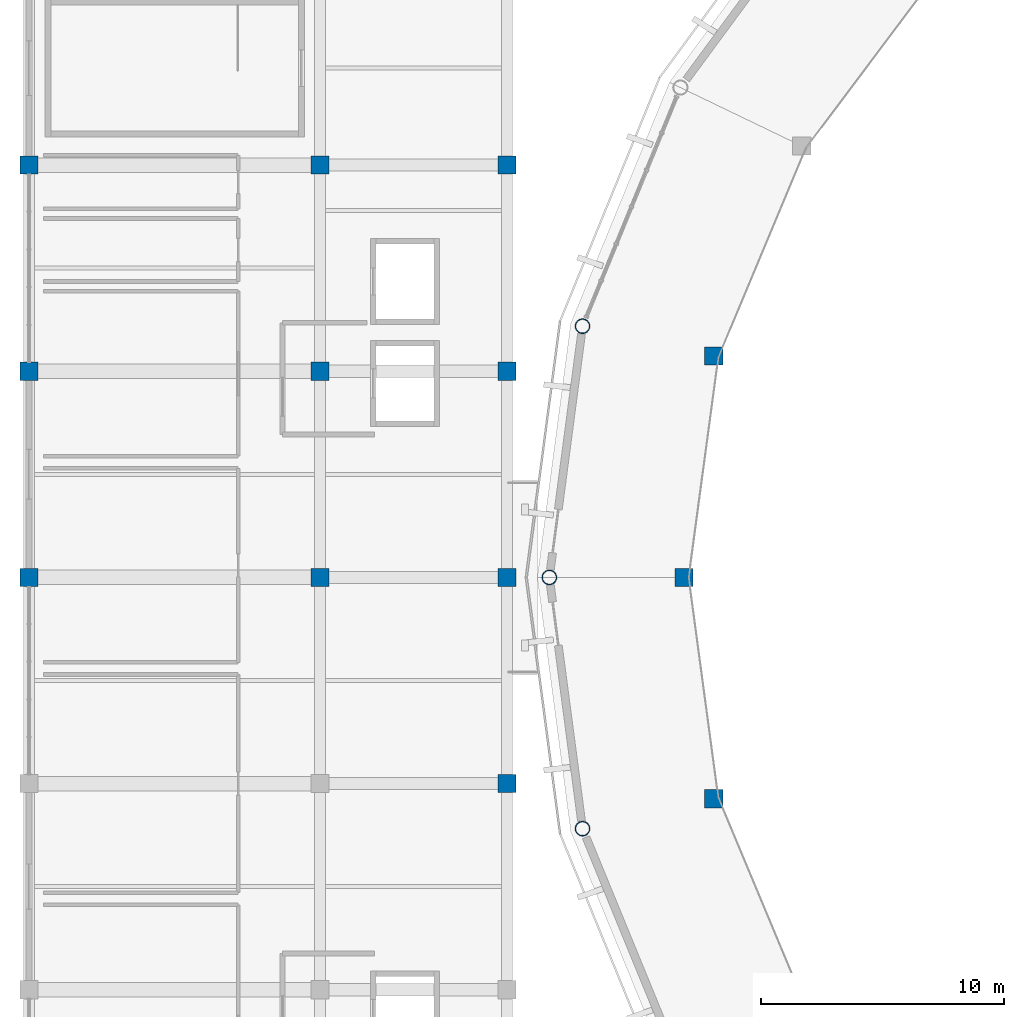
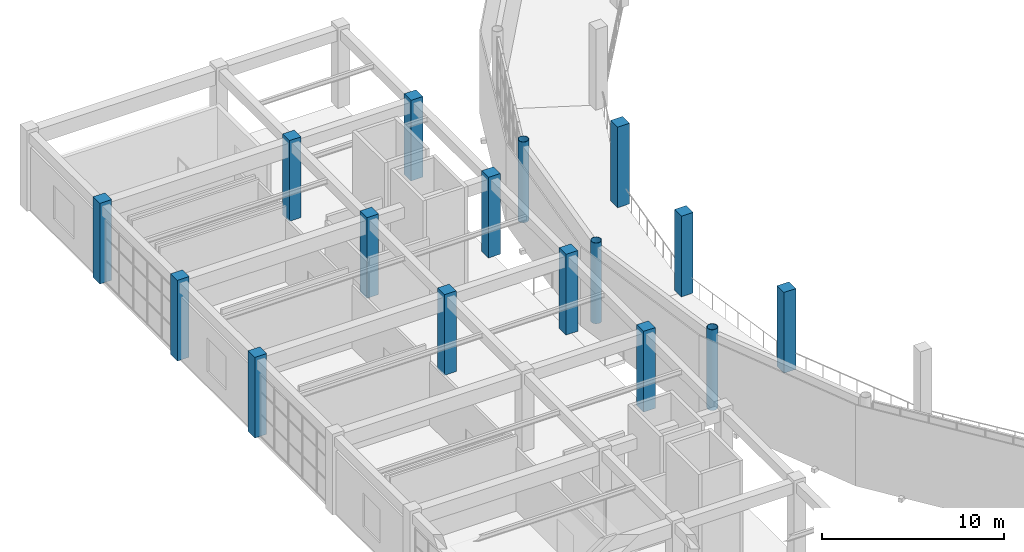
# One storey, part 2 of 40: 16 columns.
"""IFC4 building model written with IfcOpenShell, lengths in metres."""

from ifc_helpers import new_model, si_unit, direction, frame, origin, origin_2d, place, context, subcontext, project, spatial, rectangle, hollow_circle, extrude, material, material_profile, profile_set, type_object, element, save


model = new_model("IFC4")

# Units and contexts
model_context = context("Model", 3, precision=1e-05, world=origin(), true_north=direction((0.0, 1.0)))
body_context = subcontext(model_context, "Body", "Model", "MODEL_VIEW")
ifc_project = project(units=[si_unit("LENGTHUNIT", "METRE"), si_unit("AREAUNIT", "SQUARE_METRE"), si_unit("VOLUMEUNIT", "CUBIC_METRE"), si_unit("PLANEANGLEUNIT", "RADIAN"), si_unit("MASSUNIT", "GRAM", prefix="KILO")], contexts=[model_context])

# Site, building, storey
site_placement = place(None, origin())
site = spatial("IfcSite", under=ifc_project, at=site_placement, CompositionType="ELEMENT")
building_placement = place(site_placement, origin())
building = spatial("IfcBuilding", under=site, at=building_placement, Name="Cuetzalor Civic Arena", CompositionType="ELEMENT")
storey_placement = place(building_placement, frame((0.0, 0.0, 26.39990234375)))
storey = spatial("IfcBuildingStorey", under=building, at=storey_placement, Name="L05", CompositionType="ELEMENT", Elevation=26.39990234375)

# Columns
ifc_material_1 = material(Name="Concrete C40/50", Category="concrete")
ifc_material_profile_1 = material_profile(ifc_material_1, rectangle(XDim=0.75, YDim=0.75, at=origin_2d()), Name="RC 750x750")
ifc_profile_set_1 = profile_set([ifc_material_profile_1], Name="Concrete C40/50")
column_type_1 = type_object("IfcColumnType", Name="ConcreteColumn_750", PredefinedType="COLUMN", material=ifc_profile_set_1)
for number, where, z_axis, x_axis, name in (
    (1, (-47.771484375, 9.123291015625, 0.0), (0.0, 0.0, 1.0), (1.0, 0.0, 0.0), "Column V1-REC-14 L05"),
    (2, (-49.0, 0.0, 0.0), (0.0, 0.0, 1.0), (1.0, 0.0, 0.0), "Column V1-REC-15 L05"),
    (3, (-47.771484375, -9.123291015625, 0.0), (0.0, 0.0, 1.0), (1.0, 0.0, 0.0), "Column V1-REC-16 L05"),
    (4, (-76.0, 0.0, 0.0), (0.0, 0.0, 1.0), (1.0, 0.0, 0.0), "Column V4W-C-02-07 L05"),
    (5, (-76.0, 8.5, 0.0), (0.0, 0.0, 1.0), (1.0, 0.0, 0.0), "Column V4W-C-02-08 L05"),
    (6, (-76.0, 17.0, 0.0), (0.0, 0.0, 1.0), (1.0, 0.0, 0.0), "Column V4W-C-02-09 L05"),
    (7, (-64.0, 0.0, 0.0), (0.0, 0.0, 1.0), (1.0, 0.0, 0.0), "Column V4W-C-03-07 L05"),
    (8, (-64.0, 8.5, 0.0), (0.0, 0.0, 1.0), (1.0, 0.0, 0.0), "Column V4W-C-03-08 L05"),
    (9, (-64.0, 17.0, 0.0), (0.0, 0.0, 1.0), (1.0, 0.0, 0.0), "Column V4W-C-03-09 L05"),
    (10, (-56.300048828125, -8.5, 0.0), (0.0, 0.0, 1.0), (1.0, 0.0, 0.0), "Column V4W-C-04-06 L05"),
    (11, (-56.300048828125, 0.0, 0.0), (0.0, 0.0, 1.0), (1.0, 0.0, 0.0), "Column V4W-C-04-07 L05"),
    (12, (-56.300048828125, 8.5, 0.0), (0.0, 0.0, 1.0), (1.0, 0.0, 0.0), "Column V4W-C-04-08 L05"),
    (13, (-56.300048828125, 17.0, 0.0), (0.0, 0.0, 1.0), (1.0, 0.0, 0.0), "Column V4W-C-04-09 L05"),
):
    element("IfcColumn", number, at=place(storey_placement, frame(where, z_axis=z_axis, x_axis=x_axis)), inside=storey, type_object=column_type_1, Name=name, PredefinedType="COLUMN", context=body_context, shape_type="SweptSolid", body=[
        extrude(rectangle(XDim=0.75, YDim=0.75, at=origin_2d()), origin(), (0.0, 0.0, 1.0), 5.400146484375),
    ])
ifc_material_2 = material(Name="Steel S355", Category="steel")
ifc_material_profile_2 = material_profile(ifc_material_2, hollow_circle(Radius=0.304931640625, WallThickness=0.02490234375, at=origin_2d()), Name="CHS 610x25")
ifc_profile_set_2 = profile_set([ifc_material_profile_2], Name="Steel S355")
column_type_2 = type_object("IfcColumnType", Name="SteelDomePylon_CHS610", PredefinedType="COLUMN", material=ifc_profile_set_2)
for number, where, z_axis, x_axis, name in (
    (14, (-53.182373046875, 10.3583984375, 0.0), (0.0, 0.0, 1.0), (1.0, 0.0, 0.0), "Column V1-PYL-14 L05"),
    (15, (-54.550048828125, 0.0, 0.0), (0.0, 0.0, 1.0), (1.0, 0.0, 0.0), "Column V1-PYL-15 L05"),
    (16, (-53.182373046875, -10.3583984375, 0.0), (0.0, 0.0, 1.0), (1.0, 0.0, 0.0), "Column V1-PYL-16 L05"),
):
    element("IfcColumn", number, at=place(storey_placement, frame(where, z_axis=z_axis, x_axis=x_axis)), inside=storey, type_object=column_type_2, Name=name, PredefinedType="COLUMN", context=body_context, shape_type="SweptSolid", body=[
        extrude(hollow_circle(Radius=0.304931640625, WallThickness=0.02490234375, at=origin_2d()), origin(), (0.0, 0.0, 1.0), 5.400146484375),
    ])

save(model, "model.ifc")
